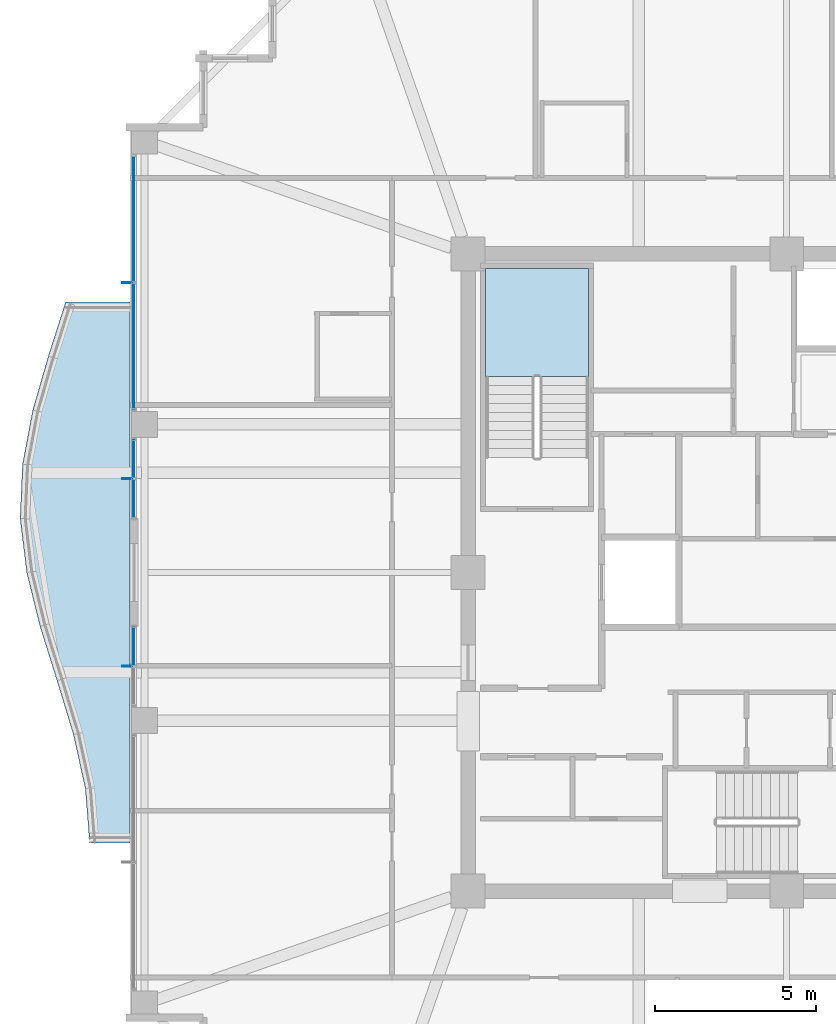
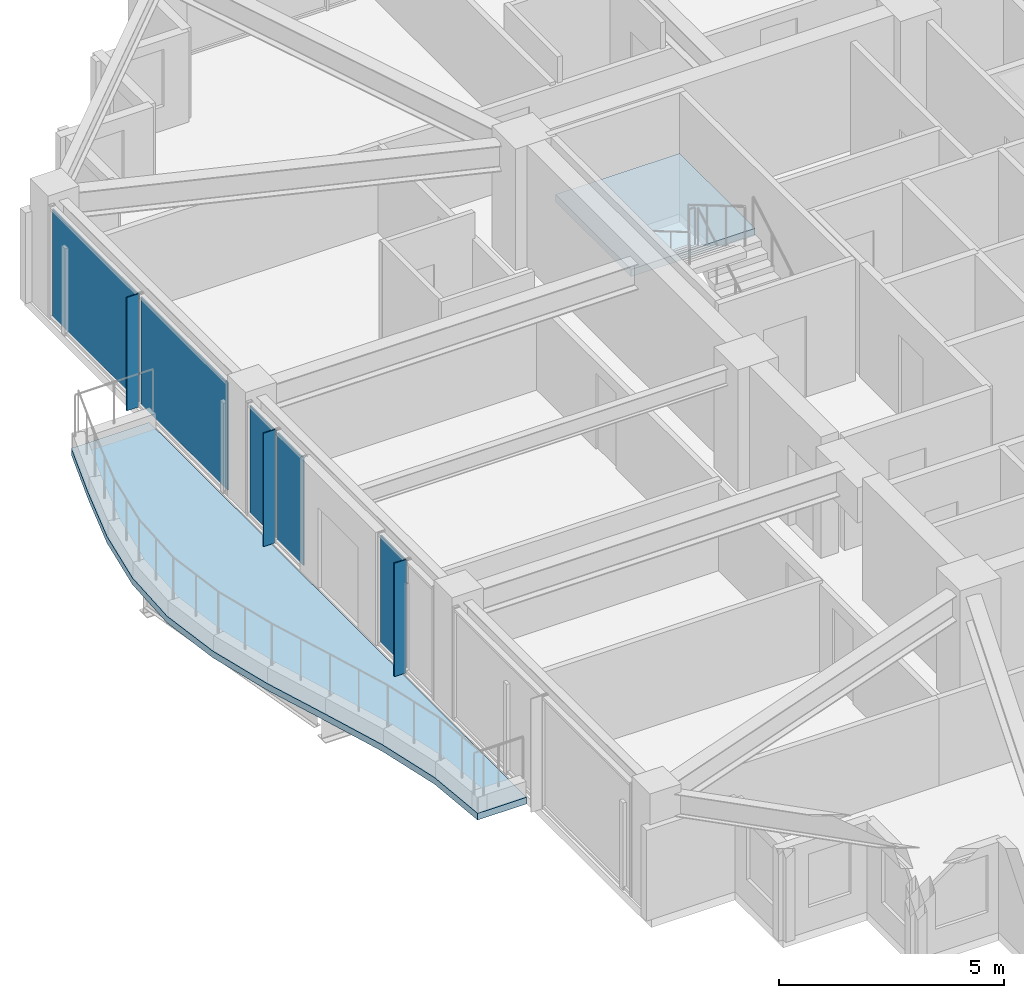
# One storey, part 23 of 34: 8 plates, 2 slabs, 4 elements without a shape of their own.
"""IFC4 building model written with IfcOpenShell, lengths in metres."""

from ifc_helpers import new_model, si_unit, direction, frame, origin, origin_2d, place, context, subcontext, project, spatial, polyline, rectangle, outline, extrude, material, layer, layer_set, type_object, element, aggregate, save


model = new_model("IFC4")

# Units and contexts
model_context = context("Model", 3, precision=1e-05, world=origin(), true_north=direction((0.0, 1.0)))
body_context = subcontext(model_context, "Body", "Model", "MODEL_VIEW")
ifc_project = project(units=[si_unit("LENGTHUNIT", "METRE"), si_unit("AREAUNIT", "SQUARE_METRE"), si_unit("VOLUMEUNIT", "CUBIC_METRE"), si_unit("PLANEANGLEUNIT", "RADIAN"), si_unit("MASSUNIT", "GRAM", prefix="KILO")], contexts=[model_context])

# Site, building, storey
site_placement = place(None, origin())
site = spatial("IfcSite", under=ifc_project, at=site_placement, CompositionType="ELEMENT")
building_placement = place(site_placement, origin())
building = spatial("IfcBuilding", under=site, at=building_placement, Name="Kolvaren Belvedere", CompositionType="ELEMENT")
storey_placement = place(building_placement, frame((0.0, 0.0, 222.89990234375)))
storey = spatial("IfcBuildingStorey", under=building, at=storey_placement, Name="L65", CompositionType="ELEMENT", Elevation=222.89990234375)

# Curtain wall, plate
ifc_material_1 = material(Name="Anodised pale-metal aluminium AA 6063-T6", Category="aluminium")
curtain_wall_type = type_object("IfcCurtainWallType", Name="CW-Z5-HIGH", PredefinedType="NOTDEFINED", material=ifc_material_1)
curtain_wall_1_placement = place(storey_placement, origin())
curtain_wall_1 = element("IfcCurtainWall", 1, at=curtain_wall_1_placement, inside=storey, type_object=curtain_wall_type, Name="L65 Unitised Curtain Wall FCW-L65-W1-B2", PredefinedType="NOTDEFINED")
ifc_material_2 = material(Name="Low-iron triple insulated glass", Category="glass")
ifc_layer_1 = layer(ifc_material_2, 0.028076171875)
ifc_layer_set_1 = layer_set([ifc_layer_1], Name="Low-iron triple insulated glass")
plate_type_1 = type_object("IfcPlateType", Name="CW-PNL-VIS28", PredefinedType="CURTAIN_PANEL", material=ifc_layer_set_1)
plate_1_placement = place(storey_placement, frame((-20.280029296875, -2.296142578125, 0.080078125), z_axis=(0.0, 0.0, 1.0), x_axis=(0.0, 1.0, 0.0)))
plate_1 = element("IfcPlate", 2, at=plate_1_placement, type_object=plate_type_1, Name="FCW-L65-W1-B2 Vision Glazing Panel 2", PredefinedType="CURTAIN_PANEL", context=body_context, shape_type="SweptSolid", body=[
    extrude(rectangle(XDim=1.152587890625, YDim=0.028076171875, at=origin_2d()), origin(), (0.0, 0.0, 1.0), 2.919921875),
])
aggregate(curtain_wall_1, [plate_1])

# Curtain wall, plates
curtain_wall_2_placement = place(storey_placement, origin())
curtain_wall_2 = element("IfcCurtainWall", 3, at=curtain_wall_2_placement, inside=storey, type_object=curtain_wall_type, Name="L65 Unitised Curtain Wall FCW-L65-W2-B1", PredefinedType="NOTDEFINED")
plate_2_placement = place(storey_placement, frame((-20.280029296875, 2.296142578125, 0.080078125), z_axis=(0.0, 0.0, 1.0), x_axis=(0.0, 1.0, 0.0)))
plate_2 = element("IfcPlate", 4, at=plate_2_placement, type_object=plate_type_1, Name="FCW-L65-W2-B1 Vision Glazing Panel 1", PredefinedType="CURTAIN_PANEL", context=body_context, shape_type="SweptSolid", body=[
    extrude(rectangle(XDim=1.152587890625, YDim=0.028076171875, at=origin_2d()), origin(), (0.0, 0.0, 1.0), 2.919921875),
])
plate_3_placement = place(storey_placement, frame((-20.280029296875, 3.52880859375, 0.080078125), z_axis=(0.0, 0.0, 1.0), x_axis=(0.0, 1.0, 0.0)))
plate_3 = element("IfcPlate", 5, at=plate_3_placement, type_object=plate_type_1, Name="FCW-L65-W2-B1 Vision Glazing Panel 2", PredefinedType="CURTAIN_PANEL", context=body_context, shape_type="SweptSolid", body=[
    extrude(rectangle(XDim=1.152587890625, YDim=0.028076171875, at=origin_2d()), origin(), (0.0, 0.0, 1.0), 2.919921875),
])
aggregate(curtain_wall_2, [plate_2, plate_3])

curtain_wall_3_placement = place(storey_placement, origin())
curtain_wall_3 = element("IfcCurtainWall", 6, at=curtain_wall_3_placement, inside=storey, type_object=curtain_wall_type, Name="L65 Unitised Curtain Wall FCW-L65-W2-B2", PredefinedType="NOTDEFINED")
plate_4_placement = place(storey_placement, frame((-20.280029296875, 7.027587890625, 0.080078125), z_axis=(0.0, 0.0, 1.0), x_axis=(0.0, 1.0, 0.0)))
plate_4 = element("IfcPlate", 7, at=plate_4_placement, type_object=plate_type_1, Name="FCW-L65-W2-B2 Vision Glazing Panel 1", PredefinedType="CURTAIN_PANEL", context=body_context, shape_type="SweptSolid", body=[
    extrude(rectangle(XDim=3.864990234375, YDim=0.028076171875, at=origin_2d()), origin(), (0.0, 0.0, 1.0), 2.919921875),
])
plate_5_placement = place(storey_placement, frame((-20.280029296875, 10.972412109375, 0.080078125), z_axis=(0.0, 0.0, 1.0), x_axis=(0.0, 1.0, 0.0)))
plate_5 = element("IfcPlate", 8, at=plate_5_placement, type_object=plate_type_1, Name="FCW-L65-W2-B2 Vision Glazing Panel 2", PredefinedType="CURTAIN_PANEL", context=body_context, shape_type="SweptSolid", body=[
    extrude(rectangle(XDim=3.864990234375, YDim=0.028076171875, at=origin_2d()), origin(), (0.0, 0.0, 1.0), 2.919921875),
])
aggregate(curtain_wall_3, [plate_4, plate_5])

# Plates
ifc_material_3 = material(Name="Anodised pale-metal aluminium AA 6063-T6", Category="aluminium")
ifc_layer_2 = layer(ifc_material_3, 0.030029296875)
ifc_layer_set_2 = layer_set([ifc_layer_2], Name="Anodised pale-metal aluminium AA 6063-T6")
plate_type_2 = type_object("IfcPlateType", Name="FIN-VERT-300", PredefinedType="USERDEFINED", material=ifc_layer_set_2)
for number, where, z_axis, x_axis, name in (
    (9, (-20.489990234375, -2.91259765625, 0.0), (0.0, 0.0, 1.0), (1.0, 0.0, 0.0), "L65 Pale-Metal Vertical Shading Fin FCW-L65-W1-B2-1"),
    (10, (-20.489990234375, 2.91259765625, 0.0), (0.0, 0.0, 1.0), (1.0, 0.0, 0.0), "L65 Pale-Metal Vertical Shading Fin FCW-L65-W2-B1-1"),
    (11, (-20.489990234375, 9.0, 0.0), (0.0, 0.0, 1.0), (1.0, 0.0, 0.0), "L65 Pale-Metal Vertical Shading Fin FCW-L65-W2-B2-1"),
):
    element("IfcPlate", number, at=place(storey_placement, frame(where, z_axis=z_axis, x_axis=x_axis)), inside=storey, type_object=plate_type_2, Name=name, ObjectType="VERTICAL FIN", PredefinedType="USERDEFINED", context=body_context, shape_type="SweptSolid", body=[
        extrude(rectangle(XDim=0.300048828125, YDim=0.030029296875, at=origin_2d()), origin(), (0.0, 0.0, 1.0), 3.080078125),
    ])

# Slab
ifc_material_4 = material(Name="Concrete C50/60", Category="concrete")
ifc_layer_3 = layer(ifc_material_4, 0.179931640625)
ifc_layer_set_3 = layer_set([ifc_layer_3], Name="Concrete C50/60")
slab_type_1 = type_object("IfcSlabType", Name="SL-BAL-180", PredefinedType="FLOOR", material=ifc_layer_set_3)
slab_1_placement = place(storey_placement, frame((0.0, 0.0, -0.219970703125)))
element("IfcSlab", 12, at=slab_1_placement, inside=storey, type_object=slab_type_1, Name="L65 Planted Balcony BAL-W", PredefinedType="FLOOR", context=body_context, shape_type="SweptSolid", body=[
    extrude(outline(polyline([(-22.40625, 8.39990234375), (-22.9423828125, 6.719970703125), (-23.428466796875, 5.0400390625), (-23.744140625, 3.360107421875), (-23.820068359375, 1.679931640625), (-23.61376953125, 0.0), (-23.19970703125, -1.679931640625), (-22.672119140625, -3.360107421875), (-22.161376953125, -5.0400390625), (-21.793701171875, -6.719970703125), (-21.659912109375, -8.39990234375), (-20.39990234375, -8.39990234375), (-20.39990234375, -6.719970703125), (-20.39990234375, -5.0400390625), (-20.39990234375, -3.360107421875), (-20.39990234375, -1.679931640625), (-20.39990234375, 0.0), (-20.39990234375, 1.679931640625), (-20.39990234375, 3.360107421875), (-20.39990234375, 5.0400390625), (-20.39990234375, 6.719970703125), (-20.39990234375, 8.39990234375), (-22.40625, 8.39990234375)])), origin(), (0.0, 0.0, 1.0), 0.18017578125),
])

# Stair, slab
ifc_material_5 = material(Name="Concrete C50/60", Category="concrete")
stair_type = type_object("IfcStairType", Name="ST-CORE-1520", PredefinedType="HALF_TURN_STAIR", material=ifc_material_5)
stair_placement = place(storey_placement, origin())
stair = element("IfcStair", 13, at=stair_placement, inside=storey, type_object=stair_type, Name="L65 Protected Exit Stair ST-1", PredefinedType="HALF_TURN_STAIR")
ifc_material_6 = material(Name="Concrete C50/60", Category="concrete")
ifc_layer_4 = layer(ifc_material_6, 0.260009765625)
ifc_layer_set_4 = layer_set([ifc_layer_4], Name="Concrete C50/60")
slab_type_2 = type_object("IfcSlabType", Name="SL-LAND-260", PredefinedType="LANDING", material=ifc_layer_set_4)
slab_2_placement = place(storey_placement, frame((0.0, 0.0, 1.4501953125)))
slab_2 = element("IfcSlab", 14, at=slab_2_placement, type_object=slab_type_2, Name="ST-1 landing 1", PredefinedType="LANDING", context=body_context, shape_type="SweptSolid", body=[
    extrude(outline(polyline([(-6.159912109375, 6.090087890625), (-6.159912109375, 9.449951171875), (-9.35009765625, 9.449951171875), (-9.35009765625, 6.090087890625), (-6.159912109375, 6.090087890625)])), origin(), (0.0, 0.0, 1.0), 0.199951171875),
])
aggregate(stair, [slab_2])

save(model, "model.ifc")
